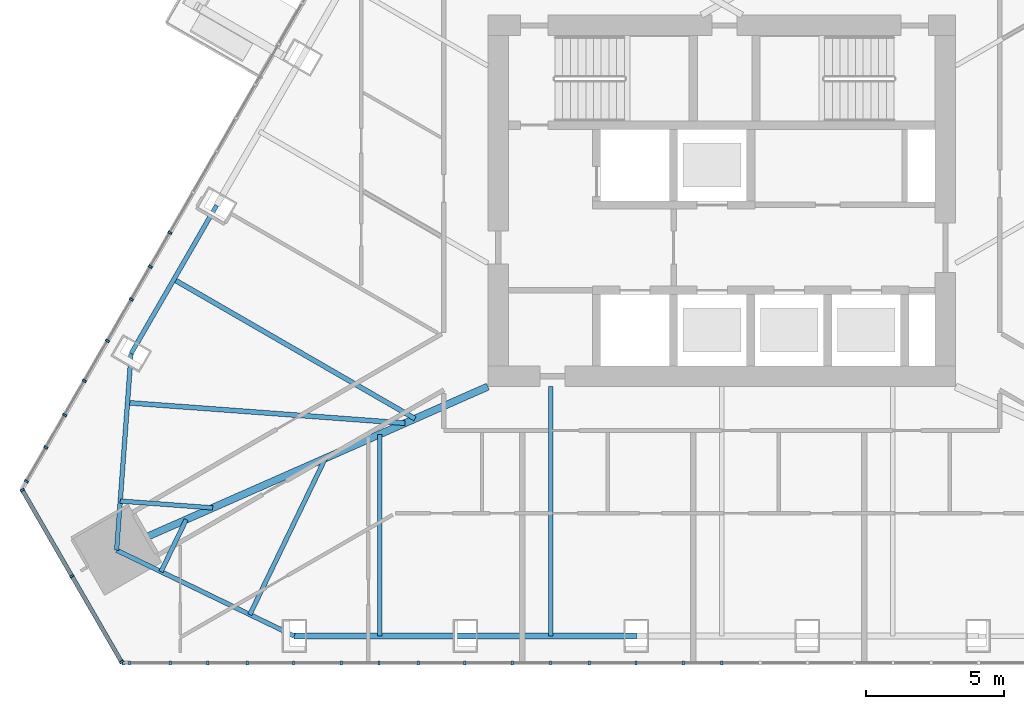
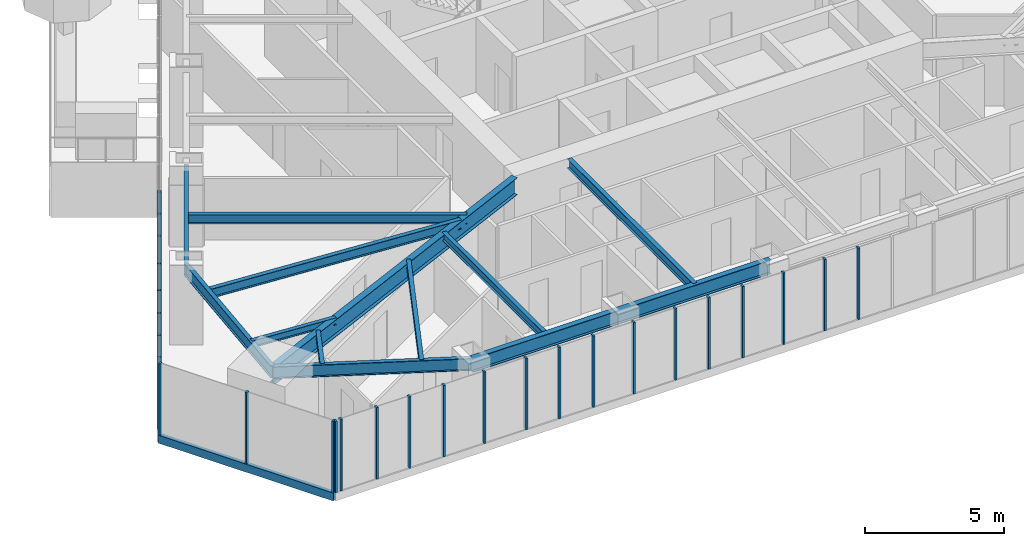
# One storey, part 2 of 22: 28 members, 12 beams, 3 elements without a shape of their own.
"""IFC4 building model written with IfcOpenShell, lengths in metres."""

from ifc_helpers import new_model, si_unit, direction, frame, origin, origin_2d, place, context, subcontext, project, spatial, rectangle, i_section, extrude, material, layer, layer_set, material_profile, profile_set, type_object, element, aggregate, save


model = new_model("IFC4")

# Units and contexts
model_context = context("Model", 3, precision=1e-05, world=origin(), true_north=direction((0.0, 1.0)))
body_context = subcontext(model_context, "Body", "Model", "MODEL_VIEW")
ifc_project = project(units=[si_unit("LENGTHUNIT", "METRE"), si_unit("AREAUNIT", "SQUARE_METRE"), si_unit("VOLUMEUNIT", "CUBIC_METRE"), si_unit("PLANEANGLEUNIT", "RADIAN"), si_unit("MASSUNIT", "GRAM", prefix="KILO")], contexts=[model_context])

# Site, building, storey
site_placement = place(None, origin())
site = spatial("IfcSite", under=ifc_project, at=site_placement, CompositionType="ELEMENT")
building_placement = place(site_placement, origin())
building = spatial("IfcBuilding", under=site, at=building_placement, Name="Firuza Gate Tower and Library", CompositionType="ELEMENT")
storey_placement = place(building_placement, frame((0.0, 0.0, 295.10009765625)))
storey = spatial("IfcBuildingStorey", under=building, at=storey_placement, Name="L71", CompositionType="ELEMENT", Elevation=295.10009765625)

# Curtain wall, members
ifc_material_1 = material(Name="Aluminium 6063-T6", Category="aluminium")
ifc_layer_1 = layer(ifc_material_1, 0.14990234375)
ifc_layer_set_1 = layer_set([ifc_layer_1], Name="Unitised curtain wall, residences")
curtain_wall_type_1 = type_object("IfcCurtainWallType", Name="Unitised curtain wall, residences", PredefinedType="NOTDEFINED", material=ifc_layer_set_1)
placement = place(storey_placement, origin())
curtain_wall_1 = element("IfcCurtainWall", 1, at=placement, inside=storey, type_object=curtain_wall_type_1, Name="CW3 L71 S face", PredefinedType="NOTDEFINED")
ifc_material_2 = material(Name="Aluminium 6063-T6", Category="aluminium")
ifc_material_profile_1 = material_profile(ifc_material_2, rectangle(XDim=0.14990234375, YDim=0.080078125, at=origin_2d()))
ifc_profile_set_1 = profile_set([ifc_material_profile_1], Name="Aluminium 6063-T6")
member_type_1 = type_object("IfcMemberType", Name="Curtain wall mullion 80x150", PredefinedType="MULLION", material=ifc_profile_set_1)
member_1_placement = place(storey_placement, frame((53.25, 58.212646484375, 0.14990234375), z_axis=(0.0, 0.0, 1.0), x_axis=(0.0, 1.0, 0.0)))
member_1 = element("IfcMember", 2, at=member_1_placement, type_object=member_type_1, Name="Mullion", PredefinedType="MULLION", context=body_context, shape_type="SweptSolid", body=[
    extrude(rectangle(XDim=0.14990234375, YDim=0.080078125, at=origin_2d()), origin(), (0.0, 0.0, 1.0), 3.14990234375),
])
member_2_placement = place(storey_placement, frame((56.322998046875, 58.212646484375, 0.14990234375), z_axis=(0.0, 0.0, 1.0), x_axis=(0.0, 1.0, 0.0)))
member_2 = element("IfcMember", 3, at=member_2_placement, type_object=member_type_1, Name="Mullion", PredefinedType="MULLION", context=body_context, shape_type="SweptSolid", body=[
    extrude(rectangle(XDim=0.14990234375, YDim=0.080078125, at=origin_2d()), origin(), (0.0, 0.0, 1.0), 3.14990234375),
])
member_3_placement = place(storey_placement, frame((59.435791015625, 58.212646484375, 0.14990234375), z_axis=(0.0, 0.0, 1.0), x_axis=(0.0, 1.0, 0.0)))
member_3 = element("IfcMember", 4, at=member_3_placement, type_object=member_type_1, Name="Mullion", PredefinedType="MULLION", context=body_context, shape_type="SweptSolid", body=[
    extrude(rectangle(XDim=0.14990234375, YDim=0.080078125, at=origin_2d()), origin(), (0.0, 0.0, 1.0), 3.14990234375),
])
member_4_placement = place(storey_placement, frame((62.548583984375, 58.212646484375, 0.14990234375), z_axis=(0.0, 0.0, 1.0), x_axis=(0.0, 1.0, 0.0)))
member_4 = element("IfcMember", 5, at=member_4_placement, type_object=member_type_1, Name="Mullion", PredefinedType="MULLION", context=body_context, shape_type="SweptSolid", body=[
    extrude(rectangle(XDim=0.14990234375, YDim=0.080078125, at=origin_2d()), origin(), (0.0, 0.0, 1.0), 3.14990234375),
])
member_5_placement = place(storey_placement, frame((65.661376953125, 58.212646484375, 0.14990234375), z_axis=(0.0, 0.0, 1.0), x_axis=(0.0, 1.0, 0.0)))
member_5 = element("IfcMember", 6, at=member_5_placement, type_object=member_type_1, Name="Mullion", PredefinedType="MULLION", context=body_context, shape_type="SweptSolid", body=[
    extrude(rectangle(XDim=0.14990234375, YDim=0.080078125, at=origin_2d()), origin(), (0.0, 0.0, 1.0), 3.14990234375),
])
member_6_placement = place(storey_placement, frame((68.7744140625, 58.212646484375, 0.14990234375), z_axis=(0.0, 0.0, 1.0), x_axis=(0.0, 1.0, 0.0)))
member_6 = element("IfcMember", 7, at=member_6_placement, type_object=member_type_1, Name="Mullion", PredefinedType="MULLION", context=body_context, shape_type="SweptSolid", body=[
    extrude(rectangle(XDim=0.14990234375, YDim=0.080078125, at=origin_2d()), origin(), (0.0, 0.0, 1.0), 3.14990234375),
])
member_7_placement = place(storey_placement, frame((71.88720703125, 58.212646484375, 0.14990234375), z_axis=(0.0, 0.0, 1.0), x_axis=(0.0, 1.0, 0.0)))
member_7 = element("IfcMember", 8, at=member_7_placement, type_object=member_type_1, Name="Mullion", PredefinedType="MULLION", context=body_context, shape_type="SweptSolid", body=[
    extrude(rectangle(XDim=0.14990234375, YDim=0.080078125, at=origin_2d()), origin(), (0.0, 0.0, 1.0), 3.14990234375),
])
member_8_placement = place(storey_placement, frame((75.0, 58.212646484375, 0.14990234375), z_axis=(0.0, 0.0, 1.0), x_axis=(0.0, 1.0, 0.0)))
member_8 = element("IfcMember", 9, at=member_8_placement, type_object=member_type_1, Name="Mullion", PredefinedType="MULLION", context=body_context, shape_type="SweptSolid", body=[
    extrude(rectangle(XDim=0.14990234375, YDim=0.080078125, at=origin_2d()), origin(), (0.0, 0.0, 1.0), 3.14990234375),
])
member_9_placement = place(storey_placement, frame((53.47607421875, 58.212646484375, 0.14990234375), z_axis=(0.0, 0.0, 1.0), x_axis=(0.0, 1.0, 0.0)))
member_9 = element("IfcMember", 10, at=member_9_placement, type_object=member_type_1, Name="Mullion", PredefinedType="MULLION", context=body_context, shape_type="SweptSolid", body=[
    extrude(rectangle(XDim=0.14990234375, YDim=0.080078125, at=origin_2d()), origin(), (0.0, 0.0, 1.0), 3.14990234375),
])
member_10_placement = place(storey_placement, frame((54.96142578125, 58.212646484375, 0.14990234375), z_axis=(0.0, 0.0, 1.0), x_axis=(0.0, 1.0, 0.0)))
member_10 = element("IfcMember", 11, at=member_10_placement, type_object=member_type_1, Name="Mullion", PredefinedType="MULLION", context=body_context, shape_type="SweptSolid", body=[
    extrude(rectangle(XDim=0.14990234375, YDim=0.080078125, at=origin_2d()), origin(), (0.0, 0.0, 1.0), 3.14990234375),
])
member_11_placement = place(storey_placement, frame((57.758544921875, 58.212646484375, 0.14990234375), z_axis=(0.0, 0.0, 1.0), x_axis=(0.0, 1.0, 0.0)))
member_11 = element("IfcMember", 12, at=member_11_placement, type_object=member_type_1, Name="Mullion", PredefinedType="MULLION", context=body_context, shape_type="SweptSolid", body=[
    extrude(rectangle(XDim=0.14990234375, YDim=0.080078125, at=origin_2d()), origin(), (0.0, 0.0, 1.0), 3.14990234375),
])
member_12_placement = place(storey_placement, frame((61.1748046875, 58.212646484375, 0.14990234375), z_axis=(0.0, 0.0, 1.0), x_axis=(0.0, 1.0, 0.0)))
member_12 = element("IfcMember", 13, at=member_12_placement, type_object=member_type_1, Name="Mullion", PredefinedType="MULLION", context=body_context, shape_type="SweptSolid", body=[
    extrude(rectangle(XDim=0.14990234375, YDim=0.080078125, at=origin_2d()), origin(), (0.0, 0.0, 1.0), 3.14990234375),
])
member_13_placement = place(storey_placement, frame((63.971923828125, 58.212646484375, 0.14990234375), z_axis=(0.0, 0.0, 1.0), x_axis=(0.0, 1.0, 0.0)))
member_13 = element("IfcMember", 14, at=member_13_placement, type_object=member_type_1, Name="Mullion", PredefinedType="MULLION", context=body_context, shape_type="SweptSolid", body=[
    extrude(rectangle(XDim=0.14990234375, YDim=0.080078125, at=origin_2d()), origin(), (0.0, 0.0, 1.0), 3.14990234375),
])
member_14_placement = place(storey_placement, frame((67.38818359375, 58.212646484375, 0.14990234375), z_axis=(0.0, 0.0, 1.0), x_axis=(0.0, 1.0, 0.0)))
member_14 = element("IfcMember", 15, at=member_14_placement, type_object=member_type_1, Name="Mullion", PredefinedType="MULLION", context=body_context, shape_type="SweptSolid", body=[
    extrude(rectangle(XDim=0.14990234375, YDim=0.080078125, at=origin_2d()), origin(), (0.0, 0.0, 1.0), 3.14990234375),
])
member_15_placement = place(storey_placement, frame((70.18505859375, 58.212646484375, 0.14990234375), z_axis=(0.0, 0.0, 1.0), x_axis=(0.0, 1.0, 0.0)))
member_15 = element("IfcMember", 16, at=member_15_placement, type_object=member_type_1, Name="Mullion", PredefinedType="MULLION", context=body_context, shape_type="SweptSolid", body=[
    extrude(rectangle(XDim=0.14990234375, YDim=0.080078125, at=origin_2d()), origin(), (0.0, 0.0, 1.0), 3.14990234375),
])
member_16_placement = place(storey_placement, frame((73.6015625, 58.212646484375, 0.14990234375), z_axis=(0.0, 0.0, 1.0), x_axis=(0.0, 1.0, 0.0)))
member_16 = element("IfcMember", 17, at=member_16_placement, type_object=member_type_1, Name="Mullion", PredefinedType="MULLION", context=body_context, shape_type="SweptSolid", body=[
    extrude(rectangle(XDim=0.14990234375, YDim=0.080078125, at=origin_2d()), origin(), (0.0, 0.0, 1.0), 3.14990234375),
])
aggregate(curtain_wall_1, [member_1, member_2, member_3, member_4, member_5, member_6, member_7, member_8, member_9, member_10, member_11, member_12, member_13, member_14, member_15, member_16])

curtain_wall_2 = element("IfcCurtainWall", 18, at=placement, inside=storey, type_object=curtain_wall_type_1, Name="CW3 L71 W face", PredefinedType="NOTDEFINED")
member_17_placement = place(storey_placement, frame((54.236083984375, 72.6103515625, 0.14990234375), z_axis=(0.0, 0.0, 1.0), x_axis=(0.866025403784, -0.5, 0.0)))
member_17 = element("IfcMember", 19, at=member_17_placement, type_object=member_type_1, Name="Mullion", PredefinedType="MULLION", context=body_context, shape_type="SweptSolid", body=[
    extrude(rectangle(XDim=0.14990234375, YDim=0.080078125, at=origin_2d()), origin(), (0.0, 0.0, 1.0), 3.14990234375),
])
member_18_placement = place(storey_placement, frame((52.6796875, 69.91455078125, 0.14990234375), z_axis=(0.0, 0.0, 1.0), x_axis=(0.866025403784, -0.5, 0.0)))
member_18 = element("IfcMember", 20, at=member_18_placement, type_object=member_type_1, Name="Mullion", PredefinedType="MULLION", context=body_context, shape_type="SweptSolid", body=[
    extrude(rectangle(XDim=0.14990234375, YDim=0.080078125, at=origin_2d()), origin(), (0.0, 0.0, 1.0), 3.14990234375),
])
member_19_placement = place(storey_placement, frame((51.123046875, 67.21875, 0.14990234375), z_axis=(0.0, 0.0, 1.0), x_axis=(0.866025403784, -0.5, 0.0)))
member_19 = element("IfcMember", 21, at=member_19_placement, type_object=member_type_1, Name="Mullion", PredefinedType="MULLION", context=body_context, shape_type="SweptSolid", body=[
    extrude(rectangle(XDim=0.14990234375, YDim=0.080078125, at=origin_2d()), origin(), (0.0, 0.0, 1.0), 3.14990234375),
])
member_20_placement = place(storey_placement, frame((54.947509765625, 73.843017578125, 0.14990234375), z_axis=(0.0, 0.0, 1.0), x_axis=(0.866025403784, -0.5, 0.0)))
member_20 = element("IfcMember", 22, at=member_20_placement, type_object=member_type_1, Name="Mullion", PredefinedType="MULLION", context=body_context, shape_type="SweptSolid", body=[
    extrude(rectangle(XDim=0.14990234375, YDim=0.080078125, at=origin_2d()), origin(), (0.0, 0.0, 1.0), 3.14990234375),
])
member_21_placement = place(storey_placement, frame((53.549072265625, 71.420654296875, 0.14990234375), z_axis=(0.0, 0.0, 1.0), x_axis=(0.866025403784, -0.5, 0.0)))
member_21 = element("IfcMember", 23, at=member_21_placement, type_object=member_type_1, Name="Mullion", PredefinedType="MULLION", context=body_context, shape_type="SweptSolid", body=[
    extrude(rectangle(XDim=0.14990234375, YDim=0.080078125, at=origin_2d()), origin(), (0.0, 0.0, 1.0), 3.14990234375),
])
member_22_placement = place(storey_placement, frame((51.841064453125, 68.462158203125, 0.14990234375), z_axis=(0.0, 0.0, 1.0), x_axis=(0.866025403784, -0.5, 0.0)))
member_22 = element("IfcMember", 24, at=member_22_placement, type_object=member_type_1, Name="Mullion", PredefinedType="MULLION", context=body_context, shape_type="SweptSolid", body=[
    extrude(rectangle(XDim=0.14990234375, YDim=0.080078125, at=origin_2d()), origin(), (0.0, 0.0, 1.0), 3.14990234375),
])
member_23_placement = place(storey_placement, frame((50.4423828125, 66.039794921875, 0.14990234375), z_axis=(0.0, 0.0, 1.0), x_axis=(0.866025403784, -0.5, 0.0)))
member_23 = element("IfcMember", 25, at=member_23_placement, type_object=member_type_1, Name="Mullion", PredefinedType="MULLION", context=body_context, shape_type="SweptSolid", body=[
    extrude(rectangle(XDim=0.14990234375, YDim=0.080078125, at=origin_2d()), origin(), (0.0, 0.0, 1.0), 3.14990234375),
])
member_24_placement = place(storey_placement, frame((49.732421875, 64.809814453125, 0.14990234375), z_axis=(0.0, 0.0, 1.0), x_axis=(0.866025403784, -0.5, 0.0)))
member_24 = element("IfcMember", 26, at=member_24_placement, type_object=member_type_1, Name="Mullion", PredefinedType="MULLION", context=body_context, shape_type="SweptSolid", body=[
    extrude(rectangle(XDim=0.14990234375, YDim=0.080078125, at=origin_2d()), origin(), (0.0, 0.0, 1.0), 3.14990234375),
])
aggregate(curtain_wall_2, [member_17, member_18, member_19, member_20, member_21, member_22, member_23, member_24])

ifc_material_3 = material(Name="Aluminium 6063-T6", Category="aluminium")
ifc_layer_2 = layer(ifc_material_3, 0.14990234375)
ifc_layer_set_2 = layer_set([ifc_layer_2], Name="Corner curtain wall, chamfers")
curtain_wall_type_2 = type_object("IfcCurtainWallType", Name="Corner curtain wall, chamfers", PredefinedType="NOTDEFINED", material=ifc_layer_set_2)
curtain_wall_3 = element("IfcCurtainWall", 27, at=placement, inside=storey, type_object=curtain_wall_type_2, Name="CW4 L71 SW corner", PredefinedType="NOTDEFINED")
member_25_placement = place(storey_placement, frame((49.586669921875, 64.48828125, 0.14990234375), z_axis=(0.0, 0.0, 1.0), x_axis=(0.866025403784, 0.5, 0.0)))
member_25 = element("IfcMember", 28, at=member_25_placement, type_object=member_type_1, Name="Mullion", PredefinedType="MULLION", context=body_context, shape_type="SweptSolid", body=[
    extrude(rectangle(XDim=0.14990234375, YDim=0.080078125, at=origin_2d()), origin(), (0.0, 0.0, 1.0), 3.14990234375),
])
member_26_placement = place(storey_placement, frame((51.388427734375, 61.367919921875, 0.14990234375), z_axis=(0.0, 0.0, 1.0), x_axis=(0.866025403784, 0.5, 0.0)))
member_26 = element("IfcMember", 29, at=member_26_placement, type_object=member_type_1, Name="Mullion", PredefinedType="MULLION", context=body_context, shape_type="SweptSolid", body=[
    extrude(rectangle(XDim=0.14990234375, YDim=0.080078125, at=origin_2d()), origin(), (0.0, 0.0, 1.0), 3.14990234375),
])
member_27_placement = place(storey_placement, frame((53.18994140625, 58.247314453125, 0.14990234375), z_axis=(0.0, 0.0, 1.0), x_axis=(0.866025403784, 0.5, 0.0)))
member_27 = element("IfcMember", 30, at=member_27_placement, type_object=member_type_1, Name="Mullion", PredefinedType="MULLION", context=body_context, shape_type="SweptSolid", body=[
    extrude(rectangle(XDim=0.14990234375, YDim=0.080078125, at=origin_2d()), origin(), (0.0, 0.0, 1.0), 3.14990234375),
])
ifc_material_4 = material(Name="Aluminium 6063-T6", Category="aluminium")
ifc_material_profile_2 = material_profile(ifc_material_4, rectangle(XDim=0.14990234375, YDim=0.35009765625, at=origin_2d()))
ifc_profile_set_2 = profile_set([ifc_material_profile_2], Name="Aluminium 6063-T6")
member_type_2 = type_object("IfcMemberType", Name="Curtain wall transom 350x150", PredefinedType="USERDEFINED", material=ifc_profile_set_2)
member_28_placement = place(storey_placement, frame((49.566650390625, 64.52294921875, -0.025146484375), z_axis=(0.500005719219, -0.866022101766, 0.0), x_axis=(0.866022101766, 0.500005719219, 0.0)))
member_28 = element("IfcMember", 31, at=member_28_placement, type_object=member_type_2, Name="Transom", ObjectType="TRANSOM", PredefinedType="USERDEFINED", context=body_context, shape_type="SweptSolid", body=[
    extrude(rectangle(XDim=0.14990234375, YDim=0.35009765625, at=origin_2d()), origin(), (0.0, 0.0, 1.0), 7.28662109375),
])
aggregate(curtain_wall_3, [member_25, member_26, member_27, member_28])

# Beams
ifc_material_5 = material(Name="Steel S355", Category="steel")
ifc_material_profile_3 = material_profile(ifc_material_5, i_section(OverallWidth=0.1650390625, OverallDepth=0.31005859375, WebThickness=0.005859375, FlangeThickness=0.009765625, at=origin_2d()))
ifc_profile_set_3 = profile_set([ifc_material_profile_3], Name="Steel S355")
beam_type_1 = type_object("IfcBeamType", Name="W310x39 Floor beam", PredefinedType="JOIST", material=ifc_profile_set_3)
beam_1_placement = place(storey_placement, frame((53.14404296875, 64.092529296875, 3.14501953125), z_axis=(0.997292409208, -0.073538089019, 0.0), x_axis=(0.073538089019, 0.997292409208, 0.0)))
element("IfcBeam", 32, at=beam_1_placement, inside=storey, type_object=beam_type_1, Name="Floor beam L71 s01", PredefinedType="JOIST", context=body_context, shape_type="SweptSolid", body=[
    extrude(i_section(OverallWidth=0.1650390625, OverallDepth=0.31005859375, WebThickness=0.005859375, FlangeThickness=0.009765625, at=origin_2d()), origin(), (0.0, 0.0, 1.0), 3.36962890625),
])
beam_2_placement = place(storey_placement, frame((54.625732421875, 61.52587890625, 3.14501953125), z_axis=(0.434960061589, 0.900449745862, 0.0), x_axis=(-0.900449745862, 0.434960061589, 0.0)))
element("IfcBeam", 33, at=beam_2_placement, inside=storey, type_object=beam_type_1, Name="Floor beam L71 s10", PredefinedType="JOIST", context=body_context, shape_type="SweptSolid", body=[
    extrude(i_section(OverallWidth=0.1650390625, OverallDepth=0.31005859375, WebThickness=0.005859375, FlangeThickness=0.009765625, at=origin_2d()), origin(), (0.0, 0.0, 1.0), 2.103271484375),
])
beam_3_placement = place(storey_placement, frame((57.85302734375, 59.967041015625, 3.14501953125), z_axis=(0.434960061589, 0.900449745862, 0.0), x_axis=(-0.900449745862, 0.434960061589, 0.0)))
element("IfcBeam", 34, at=beam_3_placement, inside=storey, type_object=beam_type_1, Name="Floor beam L71 s11", PredefinedType="JOIST", context=body_context, shape_type="SweptSolid", body=[
    extrude(i_section(OverallWidth=0.1650390625, OverallDepth=0.31005859375, WebThickness=0.005859375, FlangeThickness=0.009765625, at=origin_2d()), origin(), (0.0, 0.0, 1.0), 6.3095703125),
])
ifc_material_6 = material(Name="Steel S355", Category="steel")
ifc_material_profile_4 = material_profile(ifc_material_6, i_section(OverallWidth=0.1708984375, OverallDepth=0.35498046875, WebThickness=0.007080078125, FlangeThickness=0.01171875, at=origin_2d()))
ifc_profile_set_4 = profile_set([ifc_material_profile_4], Name="Steel S355")
beam_type_2 = type_object("IfcBeamType", Name="W360x51 Floor beam", PredefinedType="JOIST", material=ifc_profile_set_4)
beam_4_placement = place(storey_placement, frame((62.5732421875, 59.187744140625, 3.122314453125), z_axis=(0.0, 1.0, 0.0), x_axis=(-1.0, 0.0, 0.0)))
element("IfcBeam", 35, at=beam_4_placement, inside=storey, type_object=beam_type_2, Name="Floor beam L71 s20", PredefinedType="JOIST", context=body_context, shape_type="SweptSolid", body=[
    extrude(i_section(OverallWidth=0.1708984375, OverallDepth=0.35498046875, WebThickness=0.007080078125, FlangeThickness=0.01171875, at=origin_2d()), origin(), (0.0, 0.0, 1.0), 7.33154296875),
])
ifc_material_7 = material(Name="Steel S355", Category="steel")
ifc_material_profile_5 = material_profile(ifc_material_7, i_section(OverallWidth=0.177978515625, OverallDepth=0.406982421875, WebThickness=0.0078125, FlangeThickness=0.0126953125, at=origin_2d()))
ifc_profile_set_5 = profile_set([ifc_material_profile_5], Name="Steel S355")
beam_type_3 = type_object("IfcBeamType", Name="W410x60 Floor beam", PredefinedType="JOIST", material=ifc_profile_set_5)
beam_5_placement = place(storey_placement, frame((53.40771484375, 67.666748046875, 3.096435546875), z_axis=(0.997290637753, -0.073562108793, 0.0), x_axis=(0.073562108793, 0.997290637753, 0.0)))
element("IfcBeam", 36, at=beam_5_placement, inside=storey, type_object=beam_type_3, Name="Floor beam L71 s00", PredefinedType="JOIST", context=body_context, shape_type="SweptSolid", body=[
    extrude(i_section(OverallWidth=0.177978515625, OverallDepth=0.406982421875, WebThickness=0.0078125, FlangeThickness=0.0126953125, at=origin_2d()), origin(), (0.0, 0.0, 1.0), 10.109130859375),
])
beam_6_placement = place(storey_placement, frame((68.78662109375, 59.187744140625, 3.096435546875), z_axis=(0.0, 1.0, 0.0), x_axis=(-1.0, 0.0, 0.0)))
element("IfcBeam", 37, at=beam_6_placement, inside=storey, type_object=beam_type_3, Name="Floor beam L71 s21", PredefinedType="JOIST", context=body_context, shape_type="SweptSolid", body=[
    extrude(i_section(OverallWidth=0.177978515625, OverallDepth=0.406982421875, WebThickness=0.0078125, FlangeThickness=0.0126953125, at=origin_2d()), origin(), (0.0, 0.0, 1.0), 9.062255859375),
])
beam_7_placement = place(storey_placement, frame((55.0927734375, 72.144287109375, 3.096435546875), z_axis=(0.866025277505, -0.500000218722, 0.0), x_axis=(0.500000218722, 0.866025277505, 0.0)))
element("IfcBeam", 38, at=beam_7_placement, inside=storey, type_object=beam_type_3, Name="Floor beam L71 s84", PredefinedType="JOIST", context=body_context, shape_type="SweptSolid", body=[
    extrude(i_section(OverallWidth=0.177978515625, OverallDepth=0.406982421875, WebThickness=0.0078125, FlangeThickness=0.0126953125, at=origin_2d()), origin(), (0.0, 0.0, 1.0), 10.119140625),
])
ifc_material_8 = material(Name="Steel S355", Category="steel")
ifc_material_profile_6 = material_profile(ifc_material_8, i_section(OverallWidth=0.166015625, OverallDepth=0.534912109375, WebThickness=0.01025390625, FlangeThickness=0.0166015625, at=origin_2d()))
ifc_profile_set_6 = profile_set([ifc_material_profile_6], Name="Steel S355")
beam_type_4 = type_object("IfcBeamType", Name="W530x85 Edge beam", PredefinedType="SPANDREL", material=ifc_profile_set_6)
beam_8_placement = place(storey_placement, frame((53.539306640625, 69.453857421875, 3.032470703125), z_axis=(-0.073536698526, -0.997292511739, 0.0), x_axis=(0.997292511739, -0.073536698526, 0.0)))
element("IfcBeam", 39, at=beam_8_placement, inside=storey, type_object=beam_type_4, Name="Edge beam L71 e00", PredefinedType="SPANDREL", context=body_context, shape_type="SweptSolid", body=[
    extrude(i_section(OverallWidth=0.166015625, OverallDepth=0.534912109375, WebThickness=0.01025390625, FlangeThickness=0.0166015625, at=origin_2d()), origin(), (0.0, 0.0, 1.0), 7.167724609375),
])
beam_9_placement = place(storey_placement, frame((53.01220703125, 62.305419921875, 3.032470703125), z_axis=(0.900454129451, -0.434950986613, 0.0), x_axis=(0.434950986613, 0.900454129451, 0.0)))
element("IfcBeam", 40, at=beam_9_placement, inside=storey, type_object=beam_type_4, Name="Edge beam L71 e10", PredefinedType="SPANDREL", context=body_context, shape_type="SweptSolid", body=[
    extrude(i_section(OverallWidth=0.166015625, OverallDepth=0.534912109375, WebThickness=0.01025390625, FlangeThickness=0.0166015625, at=origin_2d()), origin(), (0.0, 0.0, 1.0), 7.16796875),
])
beam_10_placement = place(storey_placement, frame((56.64599609375, 74.834716796875, 3.032470703125), z_axis=(-0.500005895944, -0.866021999733, 0.0), x_axis=(0.866021999733, -0.500005895944, 0.0)))
element("IfcBeam", 41, at=beam_10_placement, inside=storey, type_object=beam_type_4, Name="Edge beam L71 e84", PredefinedType="SPANDREL", context=body_context, shape_type="SweptSolid", body=[
    extrude(i_section(OverallWidth=0.166015625, OverallDepth=0.534912109375, WebThickness=0.01025390625, FlangeThickness=0.0166015625, at=origin_2d()), origin(), (0.0, 0.0, 1.0), 6.21337890625),
])
ifc_material_9 = material(Name="Steel S355", Category="steel")
ifc_material_profile_7 = material_profile(ifc_material_9, i_section(OverallWidth=0.22900390625, OverallDepth=0.612060546875, WebThickness=0.011962890625, FlangeThickness=0.01953125, at=origin_2d()))
ifc_profile_set_7 = profile_set([ifc_material_profile_7], Name="Steel S355")
beam_type_5 = type_object("IfcBeamType", Name="W610x125 Edge beam", PredefinedType="SPANDREL", material=ifc_profile_set_7)
beam_11_placement = place(storey_placement, frame((59.466552734375, 59.187744140625, 2.993896484375), z_axis=(1.0, 0.0, 0.0), x_axis=(0.0, 1.0, 0.0)))
element("IfcBeam", 42, at=beam_11_placement, inside=storey, type_object=beam_type_5, Name="Edge beam L71 e20", PredefinedType="SPANDREL", context=body_context, shape_type="SweptSolid", body=[
    extrude(i_section(OverallWidth=0.22900390625, OverallDepth=0.612060546875, WebThickness=0.011962890625, FlangeThickness=0.01953125, at=origin_2d()), origin(), (0.0, 0.0, 1.0), 12.4267578125),
])
ifc_material_10 = material(Name="Steel S355", Category="steel")
ifc_material_profile_8 = material_profile(ifc_material_10, i_section(OverallWidth=0.264892578125, OverallDepth=0.7529296875, WebThickness=0.01318359375, FlangeThickness=0.01708984375, at=origin_2d()))
ifc_profile_set_8 = profile_set([ifc_material_profile_8], Name="Steel S355")
beam_type_6 = type_object("IfcBeamType", Name="W760x147 Girder", PredefinedType="BEAM", material=ifc_profile_set_8)
beam_12_placement = place(storey_placement, frame((53.01220703125, 62.305419921875, 2.92333984375), z_axis=(0.915065983609, 0.403304160209, 0.0), x_axis=(-0.403304160209, 0.915065983609, 0.0)))
element("IfcBeam", 43, at=beam_12_placement, inside=storey, type_object=beam_type_6, Name="Girder L71 gSW", PredefinedType="BEAM", context=body_context, shape_type="SweptSolid", body=[
    extrude(i_section(OverallWidth=0.264892578125, OverallDepth=0.7529296875, WebThickness=0.01318359375, FlangeThickness=0.01708984375, at=origin_2d()), origin(), (0.0, 0.0, 1.0), 14.73974609375),
])

save(model, "model.ifc")
